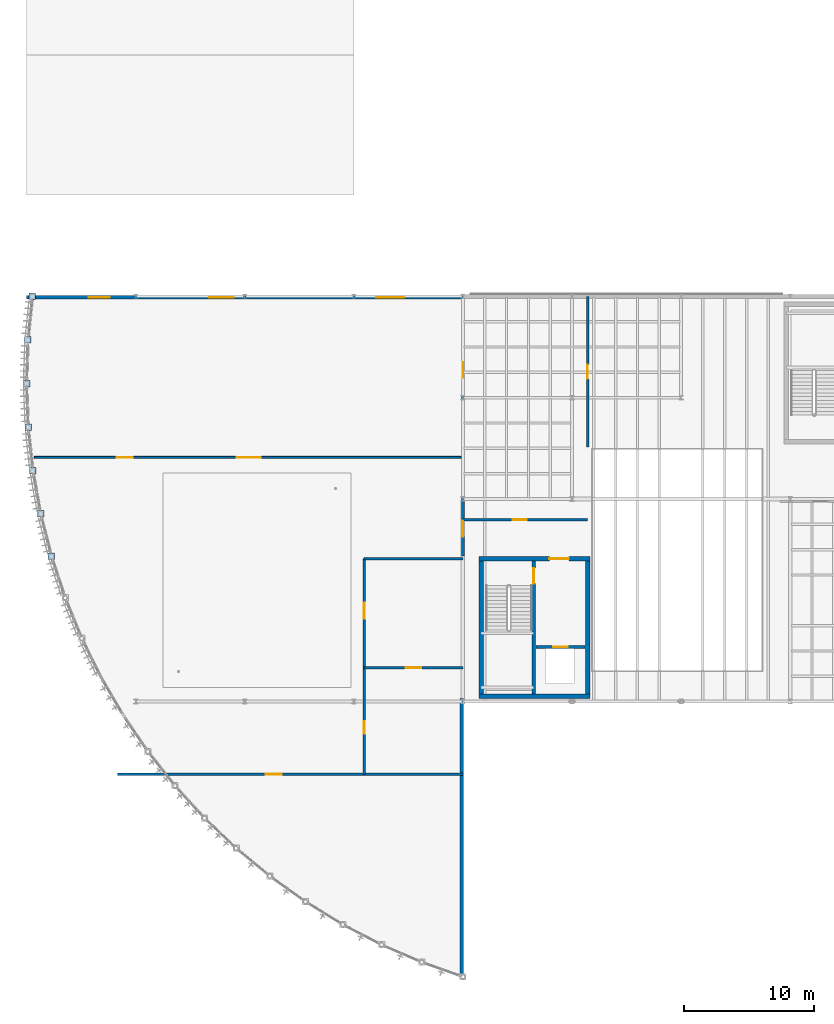
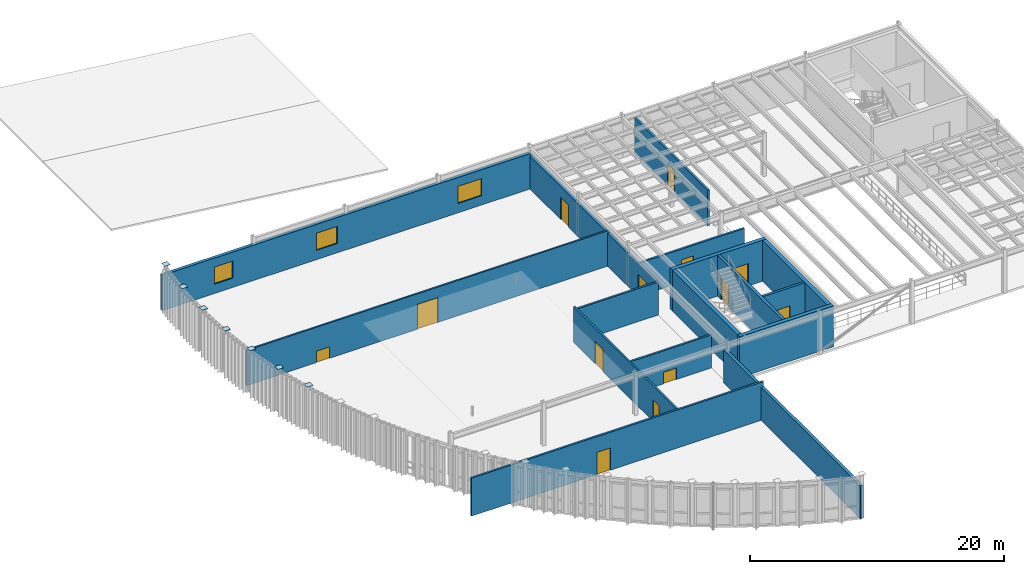
# One storey, part 19 of 26: 16 walls, 13 doors, 7 plates, 3 windows, 16 openings.
"""IFC4 building model written with IfcOpenShell, lengths in metres."""

from ifc_helpers import new_model, si_unit, direction, frame, frame_2d, origin, origin_2d, place, context, subcontext, project, spatial, rectangle, extrude, material, layer, layer_set, type_object, element, fill, save


model = new_model("IFC4")

# Units and contexts
model_context = context("Model", 3, precision=1e-05, world=origin(), true_north=direction((0.0, 1.0)))
body_context = subcontext(model_context, "Body", "Model", "MODEL_VIEW")
ifc_project = project(units=[si_unit("LENGTHUNIT", "METRE"), si_unit("AREAUNIT", "SQUARE_METRE"), si_unit("VOLUMEUNIT", "CUBIC_METRE"), si_unit("PLANEANGLEUNIT", "RADIAN"), si_unit("MASSUNIT", "GRAM", prefix="KILO")], contexts=[model_context])

# Site, building, storey
site_placement = place(None, origin())
site = spatial("IfcSite", under=ifc_project, at=site_placement, CompositionType="ELEMENT")
building_placement = place(site_placement, origin())
building = spatial("IfcBuilding", under=site, at=building_placement, Name="Selat Folded Stagehouse", CompositionType="ELEMENT")
storey_placement = place(building_placement, frame((0.0, 0.0, 23.39990234375)))
storey = spatial("IfcBuildingStorey", under=building, at=storey_placement, Name="L05", CompositionType="ELEMENT", Elevation=23.39990234375)

# Plates
ifc_material_1 = material(Name="Steel S355", Category="steel")
ifc_layer_1 = layer(ifc_material_1, 0.02490234375)
ifc_layer_set_1 = layer_set([ifc_layer_1], Name="Steel S355")
plate_type = type_object("IfcPlateType", Name="PLT-BASE-500x500x25", PredefinedType="USERDEFINED", material=ifc_layer_set_1)
for number, where, z_axis, x_axis, name in (
    (1, (0.455810546875, 54.60009765625, 4.2001953125), (0.0, 0.0, 1.0), (1.0, 0.0, 0.0), "Hollow column end cap plate STK-DRM-00"),
    (2, (0.110107421875, 51.248779296875, 4.2001953125), (0.0, 0.0, 1.0), (1.0, 0.0, 0.0), "Hollow column end cap plate STK-DRM-01"),
    (3, (0.0, 47.881591796875, 4.2001953125), (0.0, 0.0, 1.0), (1.0, 0.0, 0.0), "Hollow column end cap plate STK-DRM-02"),
    (4, (0.126708984375, 44.514892578125, 4.2001953125), (0.0, 0.0, 1.0), (1.0, 0.0, 0.0), "Hollow column end cap plate STK-DRM-03"),
    (5, (0.489013671875, 41.16552734375, 4.2001953125), (0.0, 0.0, 1.0), (1.0, 0.0, 0.0), "Hollow column end cap plate STK-DRM-04"),
    (6, (1.08544921875, 37.849609375, 4.2001953125), (0.0, 0.0, 1.0), (1.0, 0.0, 0.0), "Hollow column end cap plate STK-DRM-05"),
    (7, (1.9130859375, 34.583984375, 4.2001953125), (0.0, 0.0, 1.0), (1.0, 0.0, 0.0), "Hollow column end cap plate STK-DRM-06"),
):
    element("IfcPlate", number, at=place(storey_placement, frame(where, z_axis=z_axis, x_axis=x_axis)), inside=storey, type_object=plate_type, Name=name, ObjectType="BASE_PLATE", PredefinedType="USERDEFINED", context=body_context, shape_type="SweptSolid", body=[
        extrude(rectangle(XDim=0.5, YDim=0.5, at=origin_2d()), origin(), (0.0, 0.0, 1.0), 0.02490234375),
    ])

# Wall, opening, door
ifc_material_2 = material(Name="Concrete C40/50", Category="concrete")
ifc_layer_2 = layer(ifc_material_2, 0.179931640625)
ifc_layer_set_2 = layer_set([ifc_layer_2], Name="Concrete C40/50")
wall_type_1 = type_object("IfcWallType", Name="WAL-COMP-180", PredefinedType="STANDARD", material=ifc_layer_set_2)
wall_1_placement = place(storey_placement, frame((7.0, 17.800048828125, 0.0), z_axis=(0.0, 0.0, 1.0), x_axis=(1.0, 0.0, 0.0)))
wall_1 = element("IfcWall", 8, at=wall_1_placement, inside=storey, type_object=wall_type_1, Name="L05 interior partition wall 121", PredefinedType="STANDARD", context=body_context, shape_type="SweptSolid", body=[
    extrude(rectangle(XDim=26.60009765625, YDim=0.179931640625, at=frame_2d((13.300048828125, 0.0))), origin(), (0.0, 0.0, 1.0), 3.6669921875),
])
opening_1_placement = place(wall_1_placement, frame((11.407470703125, 0.0, 0.0)))
opening_1 = element("IfcOpeningElement", 9, at=opening_1_placement, cuts=wall_1, Name="Opening PD-02", PredefinedType="OPENING", context=body_context, shape_type="SweptSolid", body=[
    extrude(rectangle(XDim=1.25, YDim=2.14990234375, at=frame_2d((0.625, 1.074951171875))), frame((0.0, 0.099853515625, 0.0), z_axis=(0.0, -1.0, 0.0), x_axis=(1.0, 0.0, 0.0)), (0.0, 0.0, 1.0), 0.199951171875),
])
ifc_material_3 = material(Name="Electrical switchroom steel door", Category="steel")
door_type_1 = type_object("IfcDoorType", Name="DOR-PLT-1250", OperationType="NOTDEFINED", PredefinedType="DOOR", material=ifc_material_3)
door_1_placement = place(opening_1_placement, origin())
door_1 = element("IfcDoor", 10, at=door_1_placement, inside=storey, type_object=door_type_1, Name="L05 interior door IWAL-L05-121-1", OperationType="SINGLE_SWING_LEFT", OverallHeight=2.14990234375, OverallWidth=1.25, PredefinedType="DOOR", context=body_context, shape_type="SweptSolid", body=[
    extrude(rectangle(XDim=1.25, YDim=2.14990234375, at=frame_2d((0.625, 1.074951171875))), frame((0.0, 0.02490234375, 0.0), z_axis=(0.0, -1.0, 0.0), x_axis=(1.0, 0.0, 0.0)), (0.0, 0.0, 1.0), 0.050048828125),
])
fill(opening_1, door_1)

wall_2_placement = place(storey_placement, frame((33.60009765625, 37.39990234375, 0.0), z_axis=(0.0, 0.0, 1.0), x_axis=(1.0, 0.0, 0.0)))
wall_2 = element("IfcWall", 11, at=wall_2_placement, inside=storey, type_object=wall_type_1, Name="L05 interior partition wall 123", PredefinedType="STANDARD", context=body_context, shape_type="SweptSolid", body=[
    extrude(rectangle(XDim=9.599853515625, YDim=0.179931640625, at=frame_2d((4.7998046875, 0.0))), origin(), (0.0, 0.0, 1.0), 3.17724609375),
])
opening_2_placement = place(wall_2_placement, frame((3.824951171875, 0.0, 0.0)))
opening_2 = element("IfcOpeningElement", 12, at=opening_2_placement, cuts=wall_2, Name="Opening FD-60", PredefinedType="OPENING", context=body_context, shape_type="SweptSolid", body=[
    extrude(rectangle(XDim=1.10009765625, YDim=2.14990234375, at=frame_2d((0.550048828125, 1.074951171875))), frame((0.0, 0.099853515625, 0.0), z_axis=(0.0, -1.0, 0.0), x_axis=(1.0, 0.0, 0.0)), (0.0, 0.0, 1.0), 0.199951171875),
])
ifc_material_4 = material(Name="Fire-rated timber core door", Category="wood")
door_type_2 = type_object("IfcDoorType", Name="DOR-FIRE-60", OperationType="NOTDEFINED", PredefinedType="DOOR", material=ifc_material_4)
door_2_placement = place(opening_2_placement, origin())
door_2 = element("IfcDoor", 13, at=door_2_placement, inside=storey, type_object=door_type_2, Name="L05 interior door IWAL-L05-123-1", OperationType="SINGLE_SWING_RIGHT", OverallHeight=2.14990234375, OverallWidth=1.10009765625, PredefinedType="DOOR", context=body_context, shape_type="SweptSolid", body=[
    extrude(rectangle(XDim=1.10009765625, YDim=2.14990234375, at=frame_2d((0.550048828125, 1.074951171875))), frame((0.0, 0.02490234375, 0.0), z_axis=(0.0, -1.0, 0.0), x_axis=(1.0, 0.0, 0.0)), (0.0, 0.0, 1.0), 0.050048828125),
])
fill(opening_2, door_2)

wall_3_placement = place(storey_placement, frame((26.0, 26.0, 0.0), z_axis=(0.0, 0.0, 1.0), x_axis=(1.0, 0.0, 0.0)))
wall_3 = element("IfcWall", 14, at=wall_3_placement, inside=storey, type_object=wall_type_1, Name="L05 interior partition wall 126", PredefinedType="STANDARD", context=body_context, shape_type="SweptSolid", body=[
    extrude(rectangle(XDim=7.60009765625, YDim=0.179931640625, at=frame_2d((3.800048828125, 0.0))), origin(), (0.0, 0.0, 1.0), 3.17724609375),
])
opening_3_placement = place(wall_3_placement, frame((3.199951171875, 0.0, 0.0)))
opening_3 = element("IfcOpeningElement", 15, at=opening_3_placement, cuts=wall_3, Name="Opening TD-03", PredefinedType="OPENING", context=body_context, shape_type="SweptSolid", body=[
    extrude(rectangle(XDim=1.199951171875, YDim=1.10009765625, at=frame_2d((0.60009765625, 0.550048828125))), frame((0.0, 0.099853515625, 0.0), z_axis=(0.0, -1.0, 0.0), x_axis=(1.0, 0.0, 0.0)), (0.0, 0.0, 1.0), 0.199951171875),
])
ifc_material_5 = material(Name="Galvanised acoustic steel", Category="steel")
door_type_3 = type_object("IfcDoorType", Name="TRP-SMK-1200x1100", OperationType="NOTDEFINED", PredefinedType="TRAPDOOR", material=ifc_material_5)
door_3_placement = place(opening_3_placement, origin())
door_3 = element("IfcDoor", 16, at=door_3_placement, inside=storey, type_object=door_type_3, Name="L05 interior door IWAL-L05-126-1", OperationType="SWING_FIXED_LEFT", OverallHeight=1.10009765625, OverallWidth=1.199951171875, PredefinedType="TRAPDOOR", context=body_context, shape_type="SweptSolid", body=[
    extrude(rectangle(XDim=1.199951171875, YDim=1.10009765625, at=frame_2d((0.60009765625, 0.550048828125))), frame((0.0, 0.02490234375, 0.0), z_axis=(0.0, -1.0, 0.0), x_axis=(1.0, 0.0, 0.0)), (0.0, 0.0, 1.0), 0.050048828125),
])
fill(opening_3, door_3)

# Wall
wall_4_placement = place(storey_placement, frame((26.0, 34.39990234375, 0.0), z_axis=(0.0, 0.0, 1.0), x_axis=(1.0, 0.0, 0.0)))
element("IfcWall", 17, at=wall_4_placement, inside=storey, type_object=wall_type_1, Name="L05 interior partition wall 127", PredefinedType="STANDARD", context=body_context, shape_type="SweptSolid", body=[
    extrude(rectangle(XDim=7.60009765625, YDim=0.179931640625, at=frame_2d((3.800048828125, 0.0))), origin(), (0.0, 0.0, 1.0), 3.17724609375),
])

# Wall, opening, door
wall_5_placement = place(storey_placement, frame((43.199951171875, 43.0, 0.0), z_axis=(0.0, 0.0, 1.0), x_axis=(0.0, 1.0, 0.0)))
wall_5 = element("IfcWall", 18, at=wall_5_placement, inside=storey, type_object=wall_type_1, Name="L05 interior partition wall 128", PredefinedType="STANDARD", context=body_context, shape_type="SweptSolid", body=[
    extrude(rectangle(XDim=11.60009765625, YDim=0.179931640625, at=frame_2d((5.800048828125, 0.0))), origin(), (0.0, 0.0, 1.0), 3.4140625),
])
opening_4_placement = place(wall_5_placement, frame((5.25, 0.0, 0.0)))
opening_4 = element("IfcOpeningElement", 19, at=opening_4_placement, cuts=wall_5, Name="Opening FD-60", PredefinedType="OPENING", context=body_context, shape_type="SweptSolid", body=[
    extrude(rectangle(XDim=1.10009765625, YDim=2.14990234375, at=frame_2d((0.550048828125, 1.074951171875))), frame((0.0, 0.099853515625, 0.0), z_axis=(0.0, -1.0, 0.0), x_axis=(1.0, 0.0, 0.0)), (0.0, 0.0, 1.0), 0.199951171875),
])
door_4_placement = place(opening_4_placement, origin())
door_4 = element("IfcDoor", 20, at=door_4_placement, inside=storey, type_object=door_type_2, Name="L05 interior door IWAL-L05-128-1", OperationType="SINGLE_SWING_RIGHT", OverallHeight=2.14990234375, OverallWidth=1.10009765625, PredefinedType="DOOR", context=body_context, shape_type="SweptSolid", body=[
    extrude(rectangle(XDim=1.10009765625, YDim=2.14990234375, at=frame_2d((0.550048828125, 1.074951171875))), frame((0.0, 0.02490234375, 0.0), z_axis=(0.0, -1.0, 0.0), x_axis=(1.0, 0.0, 0.0)), (0.0, 0.0, 1.0), 0.050048828125),
])
fill(opening_4, door_4)

ifc_layer_3 = layer(ifc_material_2, 0.215087890625)
ifc_layer_set_3 = layer_set([ifc_layer_3], Name="Concrete C40/50")
wall_type_2 = type_object("IfcWallType", Name="WAL-COMP-215", PredefinedType="STANDARD", material=ifc_layer_set_3)
wall_6_placement = place(storey_placement, frame((39.2099609375, 27.60009765625, 0.0), z_axis=(0.0, 0.0, 1.0), x_axis=(1.0, 0.0, 0.0)))
wall_6 = element("IfcWall", 21, at=wall_6_placement, inside=storey, type_object=wall_type_2, Name="L05 FL-01 lift shaft front wall", PredefinedType="STANDARD", context=body_context, shape_type="SweptSolid", body=[
    extrude(rectangle(XDim=3.794921875, YDim=0.215087890625, at=frame_2d((1.8974609375, 0.0))), origin(), (0.0, 0.0, 1.0), 3.947021484375),
])
opening_5_placement = place(wall_6_placement, frame((1.347412109375, 0.0, 0.0)))
opening_5 = element("IfcOpeningElement", 22, at=opening_5_placement, cuts=wall_6, Name="Opening LD-01", PredefinedType="OPENING", context=body_context, shape_type="SweptSolid", body=[
    extrude(rectangle(XDim=1.10009765625, YDim=2.199951171875, at=frame_2d((0.550048828125, 1.10009765625))), frame((0.0, 0.117431640625, 0.0), z_axis=(0.0, -1.0, 0.0), x_axis=(1.0, 0.0, 0.0)), (0.0, 0.0, 1.0), 0.235107421875),
])
ifc_material_6 = material(Name="Firefighting lift stainless sliding landing door", Category="wood")
door_type_4 = type_object("IfcDoorType", Name="DOR-LFT-1100", OperationType="NOTDEFINED", PredefinedType="DOOR", material=ifc_material_6)
door_5_placement = place(opening_5_placement, origin())
door_5 = element("IfcDoor", 23, at=door_5_placement, inside=storey, type_object=door_type_4, Name="L05 FL-01 lift sliding landing door", OperationType="SLIDING_TO_LEFT", OverallHeight=2.199951171875, OverallWidth=1.10009765625, PredefinedType="DOOR", context=body_context, shape_type="SweptSolid", body=[
    extrude(rectangle(XDim=1.10009765625, YDim=2.199951171875, at=frame_2d((0.550048828125, 1.10009765625))), frame((0.0, 0.02490234375, 0.0), z_axis=(0.0, -1.0, 0.0), x_axis=(1.0, 0.0, 0.0)), (0.0, 0.0, 1.0), 0.050048828125),
])
fill(opening_5, door_5)

# Wall, openings, doors
wall_7_placement = place(storey_placement, frame((33.60009765625, 34.60009765625, 0.0), z_axis=(0.0, 0.0, 1.0), x_axis=(0.0, 1.0, 0.0)))
wall_7 = element("IfcWall", 24, at=wall_7_placement, inside=storey, type_object=wall_type_2, Name="L05 interior partition wall 122", PredefinedType="STANDARD", context=body_context, shape_type="SweptSolid", body=[
    extrude(rectangle(XDim=20.0, YDim=0.215087890625, at=frame_2d((10.0, 0.0))), origin(), (0.0, 0.0, 1.0), 3.17724609375),
])
opening_6_placement = place(wall_7_placement, frame((1.50390625, 0.0, 0.0)))
opening_6 = element("IfcOpeningElement", 25, at=opening_6_placement, cuts=wall_7, Name="Opening FD-120", PredefinedType="OPENING", context=body_context, shape_type="SweptSolid", body=[
    extrude(rectangle(XDim=1.199951171875, YDim=2.14990234375, at=frame_2d((0.60009765625, 1.074951171875))), frame((0.0, 0.117431640625, 0.0), z_axis=(0.0, -1.0, 0.0), x_axis=(1.0, 0.0, 0.0)), (0.0, 0.0, 1.0), 0.235107421875),
])
opening_7_placement = place(wall_7_placement, frame((13.72412109375, 0.0, 0.0)))
opening_7 = element("IfcOpeningElement", 26, at=opening_7_placement, cuts=wall_7, Name="Opening FD-120", PredefinedType="OPENING", context=body_context, shape_type="SweptSolid", body=[
    extrude(rectangle(XDim=1.199951171875, YDim=2.14990234375, at=frame_2d((0.60009765625, 1.074951171875))), frame((0.0, 0.117431640625, 0.0), z_axis=(0.0, -1.0, 0.0), x_axis=(1.0, 0.0, 0.0)), (0.0, 0.0, 1.0), 0.235107421875),
])
ifc_material_7 = material(Name="Fire-rated steel acoustic door", Category="steel")
door_type_5 = type_object("IfcDoorType", Name="DOR-FIRE-120", OperationType="NOTDEFINED", PredefinedType="DOOR", material=ifc_material_7)
door_6_placement = place(opening_6_placement, origin())
door_6 = element("IfcDoor", 27, at=door_6_placement, inside=storey, type_object=door_type_5, Name="L05 interior door IWAL-L05-122-1", OperationType="SINGLE_SWING_RIGHT", OverallHeight=2.14990234375, OverallWidth=1.199951171875, PredefinedType="DOOR", context=body_context, shape_type="SweptSolid", body=[
    extrude(rectangle(XDim=1.199951171875, YDim=2.14990234375, at=frame_2d((0.60009765625, 1.074951171875))), frame((0.0, 0.02490234375, 0.0), z_axis=(0.0, -1.0, 0.0), x_axis=(1.0, 0.0, 0.0)), (0.0, 0.0, 1.0), 0.050048828125),
])
fill(opening_6, door_6)
door_7_placement = place(opening_7_placement, origin())
door_7 = element("IfcDoor", 28, at=door_7_placement, inside=storey, type_object=door_type_5, Name="L05 interior door IWAL-L05-122-2", OperationType="SINGLE_SWING_LEFT", OverallHeight=2.14990234375, OverallWidth=1.199951171875, PredefinedType="DOOR", context=body_context, shape_type="SweptSolid", body=[
    extrude(rectangle(XDim=1.199951171875, YDim=2.14990234375, at=frame_2d((0.60009765625, 1.074951171875))), frame((0.0, 0.02490234375, 0.0), z_axis=(0.0, -1.0, 0.0), x_axis=(1.0, 0.0, 0.0)), (0.0, 0.0, 1.0), 0.050048828125),
])
fill(opening_7, door_7)

# Wall, opening, door
ifc_material_8 = material(Name="Concrete C50/60", Category="concrete")
ifc_layer_4 = layer(ifc_material_8, 0.25)
ifc_layer_set_4 = layer_set([ifc_layer_4], Name="Concrete C50/60")
wall_type_3 = type_object("IfcWallType", Name="WAL-CORE-250", PredefinedType="SHEAR", material=ifc_layer_set_4)
wall_8_placement = place(storey_placement, frame((39.050048828125, 34.22509765625, 0.0), z_axis=(0.0, 0.0, 1.0), x_axis=(0.0, -1.0, 0.0)))
wall_8 = element("IfcWall", 29, at=wall_8_placement, inside=storey, type_object=wall_type_3, Name="L05 CR-1 internal core divider wall", PredefinedType="SHEAR", context=body_context, shape_type="SweptSolid", body=[
    extrude(rectangle(XDim=10.25, YDim=0.25, at=frame_2d((5.125, 0.0))), origin(), (0.0, 0.0, 1.0), 3.955078125),
])
opening_8_placement = place(wall_8_placement, frame((0.550048828125, 0.0, 0.0)))
opening_8 = element("IfcOpeningElement", 30, at=opening_8_placement, cuts=wall_8, Name="Opening FD-120", PredefinedType="OPENING", context=body_context, shape_type="SweptSolid", body=[
    extrude(rectangle(XDim=1.199951171875, YDim=2.14990234375, at=frame_2d((0.60009765625, 1.074951171875))), frame((0.0, 0.135009765625, 0.0), z_axis=(0.0, -1.0, 0.0), x_axis=(1.0, 0.0, 0.0)), (0.0, 0.0, 1.0), 0.27001953125),
])
door_8_placement = place(opening_8_placement, origin())
door_8 = element("IfcDoor", 31, at=door_8_placement, inside=storey, type_object=door_type_5, Name="L05 CR-1 protected stair fire door", OperationType="SINGLE_SWING_LEFT", OverallHeight=2.14990234375, OverallWidth=1.199951171875, PredefinedType="DOOR", context=body_context, shape_type="SweptSolid", body=[
    extrude(rectangle(XDim=1.199951171875, YDim=2.14990234375, at=frame_2d((0.60009765625, 1.074951171875))), frame((0.0, 0.02490234375, 0.0), z_axis=(0.0, -1.0, 0.0), x_axis=(1.0, 0.0, 0.0)), (0.0, 0.0, 1.0), 0.050048828125),
])
fill(opening_8, door_8)

# Wall
ifc_material_9 = material(Name="Precast concrete C40/50", Category="concrete")
ifc_layer_5 = layer(ifc_material_9, 0.27490234375)
ifc_layer_set_5 = layer_set([ifc_layer_5], Name="Precast concrete C40/50")
wall_type_4 = type_object("IfcWallType", Name="WAL-EXT-275", PredefinedType="STANDARD", material=ifc_layer_set_5)
wall_9_placement = place(storey_placement, frame((33.52001953125, 2.050048828125, 0.0), z_axis=(0.0, 0.0, 1.0), x_axis=(0.0, 1.0, 0.0)))
element("IfcWall", 32, at=wall_9_placement, inside=storey, type_object=wall_type_4, Name="L05 exterior facade wall EW-L05-V1E-ALL", PredefinedType="STANDARD", context=body_context, shape_type="SweptSolid", body=[
    extrude(rectangle(XDim=21.599853515625, YDim=0.27490234375, at=frame_2d((10.7998046875, 0.0))), origin(), (0.0, 0.0, 1.0), 3.17724609375),
])

# Wall, openings, windows
wall_10_placement = place(storey_placement, frame((0.0, 54.52001953125, 0.0), z_axis=(0.0, 0.0, 1.0), x_axis=(1.0, 0.0, 0.0)))
wall_10 = element("IfcWall", 33, at=wall_10_placement, inside=storey, type_object=wall_type_4, Name="L05 exterior facade wall EW-L05-V1N", PredefinedType="STANDARD", context=body_context, shape_type="SweptSolid", body=[
    extrude(rectangle(XDim=33.60009765625, YDim=0.27490234375, at=frame_2d((16.800048828125, 0.0))), origin(), (0.0, 0.0, 1.0), 3.40771484375),
])
opening_9_placement = place(wall_10_placement, frame((4.77490234375, 0.0, 0.89990234375)))
opening_9 = element("IfcOpeningElement", 34, at=opening_9_placement, cuts=wall_10, Name="Opening WN-36", PredefinedType="OPENING", context=body_context, shape_type="SweptSolid", body=[
    extrude(rectangle(XDim=1.64990234375, YDim=1.64990234375, at=frame_2d((0.824951171875, 0.824951171875))), frame((0.0, 0.1474609375, 0.0), z_axis=(0.0, -1.0, 0.0), x_axis=(1.0, 0.0, 0.0)), (0.0, 0.0, 1.0), 0.294921875),
])
opening_10_placement = place(wall_10_placement, frame((14.050048828125, 0.0, 0.89990234375)))
opening_10 = element("IfcOpeningElement", 35, at=opening_10_placement, cuts=wall_10, Name="Opening WN-35", PredefinedType="OPENING", context=body_context, shape_type="SweptSolid", body=[
    extrude(rectangle(XDim=1.89990234375, YDim=1.64990234375, at=frame_2d((0.949951171875, 0.824951171875))), frame((0.0, 0.1474609375, 0.0), z_axis=(0.0, -1.0, 0.0), x_axis=(1.0, 0.0, 0.0)), (0.0, 0.0, 1.0), 0.294921875),
])
opening_11_placement = place(wall_10_placement, frame((26.925048828125, 0.0, 0.89990234375)))
opening_11 = element("IfcOpeningElement", 36, at=opening_11_placement, cuts=wall_10, Name="Opening WN-34", PredefinedType="OPENING", context=body_context, shape_type="SweptSolid", body=[
    extrude(rectangle(XDim=2.14990234375, YDim=1.64990234375, at=frame_2d((1.074951171875, 0.824951171875))), frame((0.0, 0.1474609375, 0.0), z_axis=(0.0, -1.0, 0.0), x_axis=(1.0, 0.0, 0.0)), (0.0, 0.0, 1.0), 0.294921875),
])
ifc_material_10 = material(Name="Thermally broken aluminium and acoustic low-E glass", Category="aluminium")
window_type_1 = type_object("IfcWindowType", Name="WIN-OF-1650x1650", PartitioningType="SINGLE_PANEL", PredefinedType="WINDOW", material=ifc_material_10)
window_1_placement = place(opening_9_placement, origin())
window_1 = element("IfcWindow", 37, at=window_1_placement, inside=storey, type_object=window_type_1, Name="L05 exterior window EW-L05-V1N-1", OverallHeight=1.64990234375, OverallWidth=1.64990234375, PartitioningType="SINGLE_PANEL", PredefinedType="WINDOW", context=body_context, shape_type="SweptSolid", body=[
    extrude(rectangle(XDim=1.64990234375, YDim=1.64990234375, at=frame_2d((0.824951171875, 0.824951171875))), frame((0.0, 0.030029296875, 0.0), z_axis=(0.0, -1.0, 0.0), x_axis=(1.0, 0.0, 0.0)), (0.0, 0.0, 1.0), 0.06005859375),
])
fill(opening_9, window_1)
window_type_2 = type_object("IfcWindowType", Name="WIN-OF-1900x1650", PartitioningType="SINGLE_PANEL", PredefinedType="WINDOW", material=ifc_material_10)
window_2_placement = place(opening_10_placement, origin())
window_2 = element("IfcWindow", 38, at=window_2_placement, inside=storey, type_object=window_type_2, Name="L05 exterior window EW-L05-V1N-2", OverallHeight=1.64990234375, OverallWidth=1.89990234375, PartitioningType="SINGLE_PANEL", PredefinedType="WINDOW", context=body_context, shape_type="SweptSolid", body=[
    extrude(rectangle(XDim=1.89990234375, YDim=1.64990234375, at=frame_2d((0.949951171875, 0.824951171875))), frame((0.0, 0.030029296875, 0.0), z_axis=(0.0, -1.0, 0.0), x_axis=(1.0, 0.0, 0.0)), (0.0, 0.0, 1.0), 0.06005859375),
])
fill(opening_10, window_2)
window_type_3 = type_object("IfcWindowType", Name="WIN-OF-2150x1650", PartitioningType="SINGLE_PANEL", PredefinedType="WINDOW", material=ifc_material_10)
window_3_placement = place(opening_11_placement, origin())
window_3 = element("IfcWindow", 39, at=window_3_placement, inside=storey, type_object=window_type_3, Name="L05 exterior window EW-L05-V1N-3", OverallHeight=1.64990234375, OverallWidth=2.14990234375, PartitioningType="SINGLE_PANEL", PredefinedType="WINDOW", context=body_context, shape_type="SweptSolid", body=[
    extrude(rectangle(XDim=2.14990234375, YDim=1.64990234375, at=frame_2d((1.074951171875, 0.824951171875))), frame((0.0, 0.030029296875, 0.0), z_axis=(0.0, -1.0, 0.0), x_axis=(1.0, 0.0, 0.0)), (0.0, 0.0, 1.0), 0.06005859375),
])
fill(opening_11, window_3)

# Wall, openings, doors
ifc_material_11 = material(Name="Fire-rated drywall stud partition", Category="gypsum")
ifc_layer_6 = layer(ifc_material_11, 0.14990234375)
ifc_layer_set_6 = layer_set([ifc_layer_6], Name="Fire-rated drywall stud partition")
wall_type_5 = type_object("IfcWallType", Name="WAL-PART-150", PredefinedType="PARTITIONING", material=ifc_layer_set_6)
wall_11_placement = place(storey_placement, frame((0.60009765625, 42.199951171875, 0.0), z_axis=(0.0, 0.0, 1.0), x_axis=(1.0, 0.0, 0.0)))
wall_11 = element("IfcWall", 40, at=wall_11_placement, inside=storey, type_object=wall_type_5, Name="L05 interior partition wall 124", PredefinedType="PARTITIONING", context=body_context, shape_type="SweptSolid", body=[
    extrude(rectangle(XDim=33.0, YDim=0.14990234375, at=frame_2d((16.5, 0.0))), origin(), (0.0, 0.0, 1.0), 3.40771484375),
])
opening_12_placement = place(wall_11_placement, frame((15.574951171875, 0.0, 0.0)))
opening_12 = element("IfcOpeningElement", 41, at=opening_12_placement, cuts=wall_11, Name="Opening WD-02", PredefinedType="OPENING", context=body_context, shape_type="SweptSolid", body=[
    extrude(rectangle(XDim=1.85009765625, YDim=2.39990234375, at=frame_2d((0.925048828125, 1.199951171875))), frame((0.0, 0.0849609375, 0.0), z_axis=(0.0, -1.0, 0.0), x_axis=(1.0, 0.0, 0.0)), (0.0, 0.0, 1.0), 0.169921875),
])
opening_13_placement = place(wall_11_placement, frame((6.360107421875, 0.0, 0.0)))
opening_13 = element("IfcOpeningElement", 42, at=opening_13_placement, cuts=wall_11, Name="Opening TD-03", PredefinedType="OPENING", context=body_context, shape_type="SweptSolid", body=[
    extrude(rectangle(XDim=1.199951171875, YDim=1.10009765625, at=frame_2d((0.60009765625, 0.550048828125))), frame((0.0, 0.0849609375, 0.0), z_axis=(0.0, -1.0, 0.0), x_axis=(1.0, 0.0, 0.0)), (0.0, 0.0, 1.0), 0.169921875),
])
ifc_material_12 = material(Name="Wardrobe and props double door", Category="wood")
door_type_6 = type_object("IfcDoorType", Name="DOR-WK-1850", OperationType="NOTDEFINED", PredefinedType="DOOR", material=ifc_material_12)
door_9_placement = place(opening_12_placement, origin())
door_9 = element("IfcDoor", 43, at=door_9_placement, inside=storey, type_object=door_type_6, Name="L05 interior door IWAL-L05-124-1", OperationType="SINGLE_SWING_LEFT", OverallHeight=2.39990234375, OverallWidth=1.85009765625, PredefinedType="DOOR", context=body_context, shape_type="SweptSolid", body=[
    extrude(rectangle(XDim=1.85009765625, YDim=2.39990234375, at=frame_2d((0.925048828125, 1.199951171875))), frame((0.0, 0.02490234375, 0.0), z_axis=(0.0, -1.0, 0.0), x_axis=(1.0, 0.0, 0.0)), (0.0, 0.0, 1.0), 0.050048828125),
])
fill(opening_12, door_9)
door_10_placement = place(opening_13_placement, origin())
door_10 = element("IfcDoor", 44, at=door_10_placement, inside=storey, type_object=door_type_3, Name="L05 interior door IWAL-L05-124-2", OperationType="SWING_FIXED_LEFT", OverallHeight=1.10009765625, OverallWidth=1.199951171875, PredefinedType="TRAPDOOR", context=body_context, shape_type="SweptSolid", body=[
    extrude(rectangle(XDim=1.199951171875, YDim=1.10009765625, at=frame_2d((0.60009765625, 0.550048828125))), frame((0.0, 0.02490234375, 0.0), z_axis=(0.0, -1.0, 0.0), x_axis=(1.0, 0.0, 0.0)), (0.0, 0.0, 1.0), 0.050048828125),
])
fill(opening_13, door_10)

ifc_material_13 = material(Name="Moisture-resistant sanitary service wall", Category="gypsum")
ifc_layer_7 = layer(ifc_material_13, 0.159912109375)
ifc_layer_set_7 = layer_set([ifc_layer_7], Name="Moisture-resistant sanitary service wall")
wall_type_6 = type_object("IfcWallType", Name="WAL-PLMB-160", PredefinedType="PLUMBINGWALL", material=ifc_layer_set_7)
wall_12_placement = place(storey_placement, frame((26.0, 17.800048828125, 0.0), z_axis=(0.0, 0.0, 1.0), x_axis=(0.0, 1.0, 0.0)))
wall_12 = element("IfcWall", 45, at=wall_12_placement, inside=storey, type_object=wall_type_6, Name="L05 interior partition wall 125", PredefinedType="PLUMBINGWALL", context=body_context, shape_type="SweptSolid", body=[
    extrude(rectangle(XDim=16.599853515625, YDim=0.159912109375, at=frame_2d((8.2998046875, 0.0))), origin(), (0.0, 0.0, 1.0), 3.43408203125),
])
opening_14_placement = place(wall_12_placement, frame((3.1298828125, 0.0, 0.0)))
opening_14 = element("IfcOpeningElement", 46, at=opening_14_placement, cuts=wall_12, Name="Opening ID-04", PredefinedType="OPENING", context=body_context, shape_type="SweptSolid", body=[
    extrude(rectangle(XDim=0.949951171875, YDim=2.10009765625, at=frame_2d((0.47509765625, 1.050048828125))), frame((0.0, 0.08984375, 0.0), z_axis=(0.0, -1.0, 0.0), x_axis=(1.0, 0.0, 0.0)), (0.0, 0.0, 1.0), 0.179931640625),
])
opening_15_placement = place(wall_12_placement, frame((11.972900390625, 0.0, 0.0)))
opening_15 = element("IfcOpeningElement", 47, at=opening_15_placement, cuts=wall_12, Name="Opening PD-02", PredefinedType="OPENING", context=body_context, shape_type="SweptSolid", body=[
    extrude(rectangle(XDim=1.25, YDim=2.14990234375, at=frame_2d((0.625, 1.074951171875))), frame((0.0, 0.08984375, 0.0), z_axis=(0.0, -1.0, 0.0), x_axis=(1.0, 0.0, 0.0)), (0.0, 0.0, 1.0), 0.179931640625),
])
door_11_placement = place(opening_15_placement, origin())
door_11 = element("IfcDoor", 48, at=door_11_placement, inside=storey, type_object=door_type_1, Name="L05 interior door IWAL-L05-125-2", OperationType="SINGLE_SWING_LEFT", OverallHeight=2.14990234375, OverallWidth=1.25, PredefinedType="DOOR", context=body_context, shape_type="SweptSolid", body=[
    extrude(rectangle(XDim=1.25, YDim=2.14990234375, at=frame_2d((0.625, 1.074951171875))), frame((0.0, 0.02490234375, 0.0), z_axis=(0.0, -1.0, 0.0), x_axis=(1.0, 0.0, 0.0)), (0.0, 0.0, 1.0), 0.050048828125),
])
fill(opening_15, door_11)
ifc_material_14 = material(Name="Accessible toilet outward-opening door", Category="wood")
door_type_7 = type_object("IfcDoorType", Name="DOR-WC-0950", OperationType="NOTDEFINED", PredefinedType="DOOR", material=ifc_material_14)
door_12_placement = place(opening_14_placement, origin())
door_12 = element("IfcDoor", 49, at=door_12_placement, inside=storey, type_object=door_type_7, Name="L05 interior door IWAL-L05-125-1", OperationType="SINGLE_SWING_RIGHT", OverallHeight=2.10009765625, OverallWidth=0.949951171875, PredefinedType="DOOR", context=body_context, shape_type="SweptSolid", body=[
    extrude(rectangle(XDim=0.949951171875, YDim=2.10009765625, at=frame_2d((0.47509765625, 1.050048828125))), frame((0.0, 0.02490234375, 0.0), z_axis=(0.0, -1.0, 0.0), x_axis=(1.0, 0.0, 0.0)), (0.0, 0.0, 1.0), 0.050048828125),
])
fill(opening_14, door_12)

# Wall
ifc_layer_8 = layer(ifc_material_8, 0.35009765625)
ifc_layer_set_8 = layer_set([ifc_layer_8], Name="Concrete C50/60")
wall_type_7 = type_object("IfcWallType", Name="WAL-SW-350", PredefinedType="SHEAR", material=ifc_layer_set_8)
wall_13_placement = place(storey_placement, frame((43.375, 23.800048828125, 0.0), z_axis=(0.0, 0.0, 1.0), x_axis=(-1.0, 0.0, 0.0)))
element("IfcWall", 50, at=wall_13_placement, inside=storey, type_object=wall_type_7, Name="L05 CR-1 south shear wall", PredefinedType="SHEAR", context=body_context, shape_type="SweptSolid", body=[
    extrude(rectangle(XDim=8.550048828125, YDim=0.35009765625, at=frame_2d((4.27490234375, 0.0))), origin(), (0.0, 0.0, 1.0), 3.955078125),
])

# Wall, opening, door
wall_14_placement = place(storey_placement, frame((34.824951171875, 34.39990234375, 0.0), z_axis=(0.0, 0.0, 1.0), x_axis=(1.0, 0.0, 0.0)))
wall_14 = element("IfcWall", 51, at=wall_14_placement, inside=storey, type_object=wall_type_7, Name="L05 CR-1 north shear wall", PredefinedType="SHEAR", context=body_context, shape_type="SweptSolid", body=[
    extrude(rectangle(XDim=8.550048828125, YDim=0.35009765625, at=frame_2d((4.27490234375, 0.0))), origin(), (0.0, 0.0, 1.0), 3.955078125),
])
opening_16_placement = place(wall_14_placement, frame((5.425048828125, 0.0, 0.0)))
opening_16 = element("IfcOpeningElement", 52, at=opening_16_placement, cuts=wall_14, Name="Opening FD-120B", PredefinedType="OPENING", context=body_context, shape_type="SweptSolid", body=[
    extrude(rectangle(XDim=1.5, YDim=2.14990234375, at=frame_2d((0.75, 1.074951171875))), frame((0.0, 0.18505859375, 0.0), z_axis=(0.0, -1.0, 0.0), x_axis=(1.0, 0.0, 0.0)), (0.0, 0.0, 1.0), 0.3701171875),
])
ifc_material_15 = material(Name="Firefighting lobby double-leaf fire door", Category="wood")
door_type_8 = type_object("IfcDoorType", Name="DOR-FFL-1500", OperationType="NOTDEFINED", PredefinedType="DOOR", material=ifc_material_15)
door_13_placement = place(opening_16_placement, origin())
door_13 = element("IfcDoor", 53, at=door_13_placement, inside=storey, type_object=door_type_8, Name="L05 CR-1 core lobby fire door", OperationType="SINGLE_SWING_RIGHT", OverallHeight=2.14990234375, OverallWidth=1.5, PredefinedType="DOOR", context=body_context, shape_type="SweptSolid", body=[
    extrude(rectangle(XDim=1.5, YDim=2.14990234375, at=frame_2d((0.75, 1.074951171875))), frame((0.0, 0.02490234375, 0.0), z_axis=(0.0, -1.0, 0.0), x_axis=(1.0, 0.0, 0.0)), (0.0, 0.0, 1.0), 0.050048828125),
])
fill(opening_16, door_13)

# Walls
for number, where, z_axis, x_axis, name in (
    (54, (35.0, 23.97509765625, 0.0), (0.0, 0.0, 1.0), (0.0, 1.0, 0.0), "L05 CR-1 west shear wall"),
    (55, (43.199951171875, 34.22509765625, 0.0), (0.0, 0.0, 1.0), (0.0, -1.0, 0.0), "L05 CR-1 east shear wall"),
):
    element("IfcWall", number, at=place(storey_placement, frame(where, z_axis=z_axis, x_axis=x_axis)), inside=storey, type_object=wall_type_7, Name=name, PredefinedType="SHEAR", context=body_context, shape_type="SweptSolid", body=[
        extrude(rectangle(XDim=10.25, YDim=0.35009765625, at=frame_2d((5.125, 0.0))), origin(), (0.0, 0.0, 1.0), 3.955078125),
    ])

save(model, "model.ifc")
